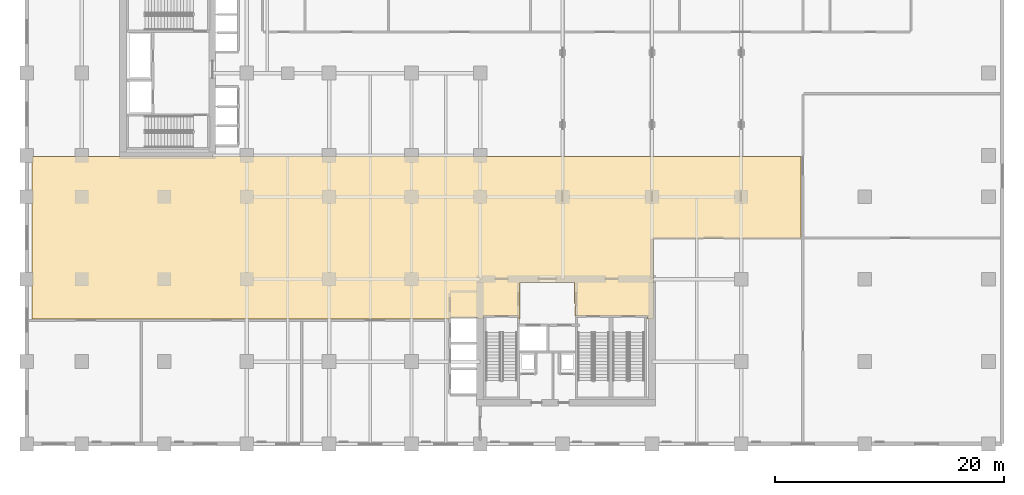
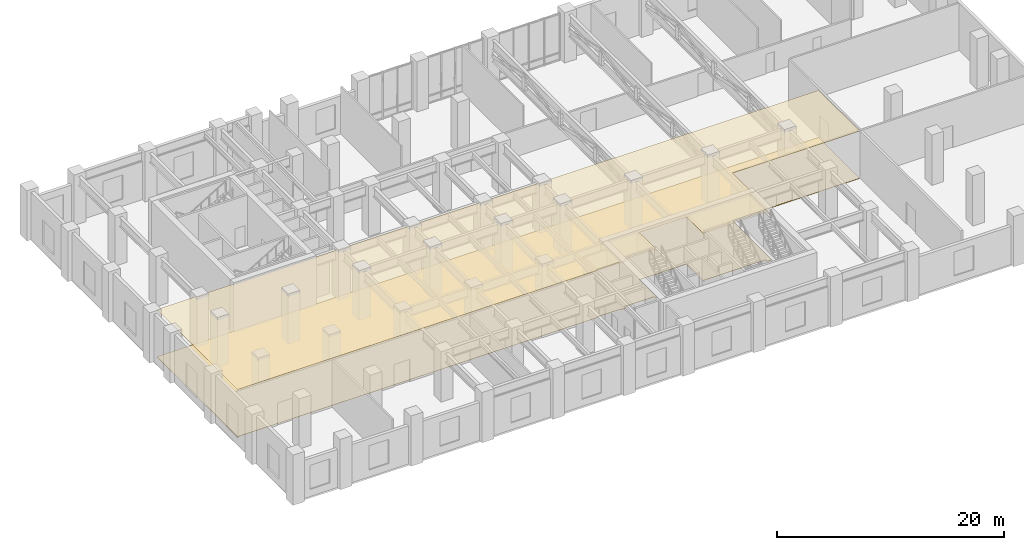
# One storey, part 17 of 19: 2 coverings.
"""IFC4 building model written with IfcOpenShell, lengths in metres."""

from ifc_helpers import new_model, si_unit, derived_unit, direction, frame, origin, place, context, subcontext, project, spatial, polyline, outline, extrude, material, layer, layer_set, type_object, element, save


model = new_model("IFC4")

# Units and contexts
model_context = context("Model", 3, precision=1e-05, world=origin(), true_north=direction((0.0, 1.0)))
body_context = subcontext(model_context, "Body", "Model", "MODEL_VIEW")
ifc_project = project(units=[si_unit("LENGTHUNIT", "METRE"), si_unit("AREAUNIT", "SQUARE_METRE"), si_unit("VOLUMEUNIT", "CUBIC_METRE"), si_unit("PLANEANGLEUNIT", "RADIAN"), si_unit("MASSUNIT", "GRAM", prefix="KILO"), si_unit("THERMODYNAMICTEMPERATUREUNIT", "KELVIN"), si_unit("POWERUNIT", "WATT"), derived_unit("THERMALTRANSMITTANCEUNIT", [(si_unit("POWERUNIT", "WATT"), 1), (si_unit("AREAUNIT", "SQUARE_METRE"), -1), (si_unit("THERMODYNAMICTEMPERATUREUNIT", "KELVIN"), -1)])], contexts=[model_context])

# Site, building, storey
site_placement = place(None, origin())
site = spatial("IfcSite", under=ifc_project, at=site_placement, CompositionType="ELEMENT")
building_placement = place(site_placement, origin())
building = spatial("IfcBuilding", under=site, at=building_placement, Name="Zahravan Archway Hotel and Residences", CompositionType="ELEMENT")
storey_placement = place(building_placement, frame((0.0, 0.0, 21.60009765625)))
storey = spatial("IfcBuildingStorey", under=building, at=storey_placement, Name="L04", CompositionType="ELEMENT", Elevation=21.60009765625)

# Coverings
ifc_material_1 = material(Name="Perforated Acoustic Gypsum Ceiling")
ifc_layer_1 = layer(ifc_material_1, 0.02490234375, Name="Perforated Acoustic Gypsum Ceiling")
ifc_layer_set_1 = layer_set([ifc_layer_1], Name="Perforated Acoustic Gypsum Ceiling")
covering_type_1 = type_object("IfcCoveringType", Name="COV-CEIL-ACST", PredefinedType="CEILING", material=ifc_layer_set_1)
covering_1_placement = place(storey_placement, frame((0.0, 0.0, 5.074951171875)))
element("IfcCovering", 1, at=covering_1_placement, inside=storey, type_object=covering_type_1, Name="L04 Acoustic Corridor Ceiling", PredefinedType="CEILING", context=body_context, shape_type="SweptSolid", body=[
    extrude(outline(polyline([(-4.3701171875, 25.1201171875), (62.840087890625, 25.1201171875), (62.840087890625, 17.89990234375), (49.9599609375, 17.89990234375), (49.93017578125, 17.872802734375), (49.929931640625, 10.929931640625), (49.409912109375, 10.929931640625), (49.409912109375, 11.169921875), (49.3828125, 11.199951171875), (43.10009765625, 11.199951171875), (43.070068359375, 11.1728515625), (43.070068359375, 10.929931640625), (43.050048828125, 14.080078125), (43.02294921875, 14.10986328125), (38.320068359375, 14.110107421875), (38.2900390625, 14.0830078125), (38.2900390625, 10.929931640625), (38.110107421875, 10.929931640625), (38.110107421875, 11.169921875), (38.0830078125, 11.199951171875), (35.10009765625, 11.199951171875), (35.070068359375, 11.1728515625), (35.070068359375, 10.929931640625), (34.6201171875, 10.929931640625), (34.6201171875, 11.0), (34.593017578125, 11.02978515625), (32.2099609375, 11.030029296875), (32.18017578125, 11.0029296875), (32.179931640625, 10.929931640625), (-4.3701171875, 10.929931640625), (-4.3701171875, 25.1201171875)])), origin(), (0.0, 0.0, 1.0), 0.02490234375),
])
ifc_material_2 = material(Name="Honed Margalla Limestone & Mortar Bed", Category="masonry")
ifc_layer_2 = layer(ifc_material_2, 0.030029296875, Name="Honed Margalla Limestone & Mortar Bed", Category="masonry")
ifc_layer_set_2 = layer_set([ifc_layer_2], Name="Honed Margalla Limestone & Mortar Bed")
covering_type_2 = type_object("IfcCoveringType", Name="COV-FLR-STONE", PredefinedType="FLOORING", material=ifc_layer_set_2)
covering_2_placement = place(storey_placement, origin())
element("IfcCovering", 2, at=covering_2_placement, inside=storey, type_object=covering_type_2, Name="L04 Circulation Floor Finish", PredefinedType="FLOORING", context=body_context, shape_type="SweptSolid", body=[
    extrude(outline(polyline([(-4.3701171875, 25.1201171875), (62.840087890625, 25.1201171875), (62.840087890625, 17.89990234375), (49.9599609375, 17.89990234375), (49.93017578125, 17.872802734375), (49.929931640625, 10.929931640625), (49.409912109375, 10.929931640625), (49.409912109375, 11.169921875), (49.3828125, 11.199951171875), (43.10009765625, 11.199951171875), (43.070068359375, 11.1728515625), (43.070068359375, 10.929931640625), (43.050048828125, 14.080078125), (43.02294921875, 14.10986328125), (38.320068359375, 14.110107421875), (38.2900390625, 14.0830078125), (38.2900390625, 10.929931640625), (38.110107421875, 10.929931640625), (38.110107421875, 11.169921875), (38.0830078125, 11.199951171875), (35.10009765625, 11.199951171875), (35.070068359375, 11.1728515625), (35.070068359375, 10.929931640625), (34.6201171875, 10.929931640625), (34.6201171875, 11.0), (34.593017578125, 11.02978515625), (32.2099609375, 11.030029296875), (32.18017578125, 11.0029296875), (32.179931640625, 10.929931640625), (-4.3701171875, 10.929931640625), (-4.3701171875, 25.1201171875)])), origin(), (0.0, 0.0, 1.0), 0.02978515625),
])

save(model, "model.ifc")
